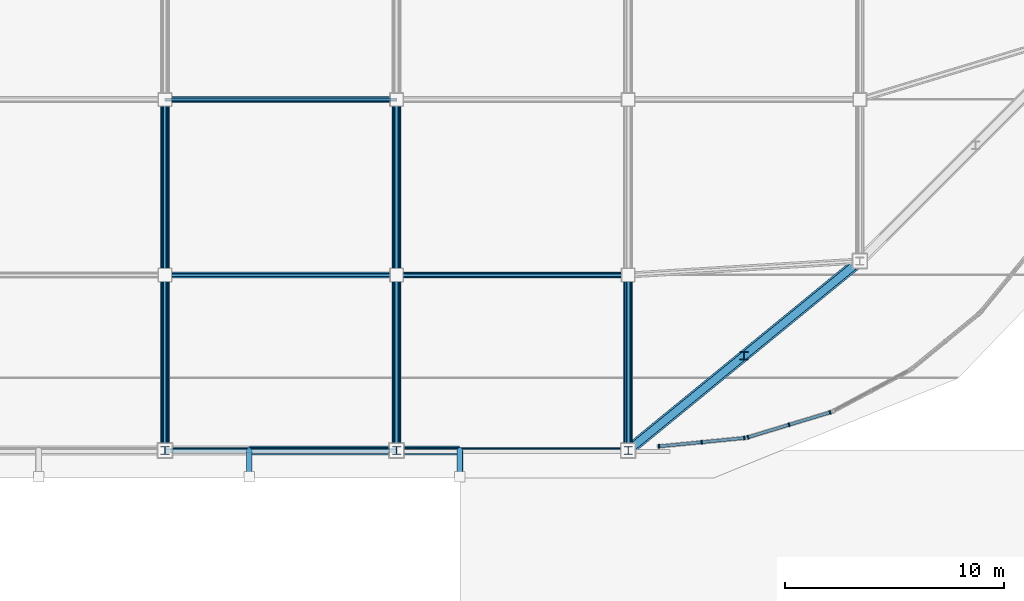
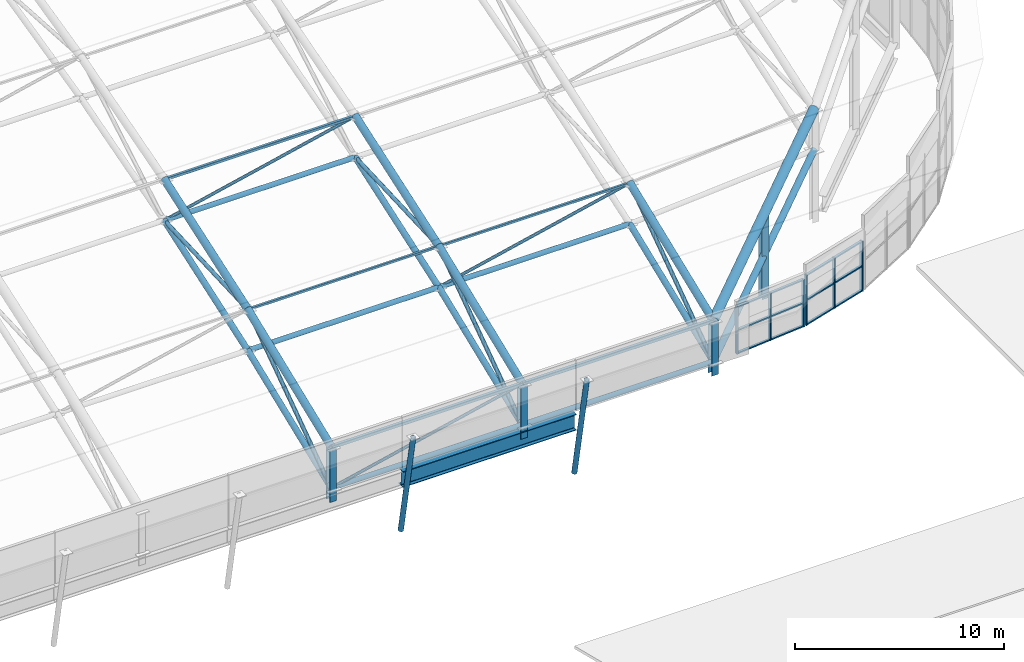
# One storey, part 9 of 42: 54 members, 1 beam, 2 elements without a shape of their own.
"""IFC4 building model written with IfcOpenShell, lengths in metres."""

import ifcopenshell
import ifcopenshell.guid

model = None  # the IFC model being written
_history = None  # IfcOwnerHistory: only IFC2X3 demands one
_inside = {}  # id of a spatial element -> (the spatial element, [elements in it])
_under = {}  # id of a project, library or spatial element -> (it, [spatial elements below it])
_declared = {}  # id of a project -> (the project, [libraries it declares])
_typed = {}  # id of a type object -> (the type object, [elements of that type])
_made_of = {}  # id of a material, layer set ... -> (it, [elements and type objects made of it])


def new_model(schema):
    """Start an empty IFC model of exactly this schema.

    Asked for "IFC4X3", IfcOpenShell would pick the latest addendum, in which some entities
    have other attributes; the version numbers below select the first issue.
    IFC2X3 requires an IfcOwnerHistory on every rooted entity: one is made here for all.
    """
    global model, _history
    if schema == "IFC4X3":
        model = ifcopenshell.file(schema_version=(4, 3, 0, 0))
    else:
        model = ifcopenshell.file(schema=schema)
    _inside.clear()
    _under.clear()
    _declared.clear()
    _typed.clear()
    _made_of.clear()
    _history = None
    if model.schema == "IFC2X3":
        org = make("IfcOrganization", Name="unknown")
        user = make(
            "IfcPersonAndOrganization",
            ThePerson=make("IfcPerson", FamilyName="unknown"),
            TheOrganization=org,
        )
        app = make(
            "IfcApplication",
            ApplicationDeveloper=org,
            Version="unknown",
            ApplicationFullName="unknown",
            ApplicationIdentifier="unknown",
        )
        _history = make(
            "IfcOwnerHistory",
            OwningUser=user,
            OwningApplication=app,
            ChangeAction="ADDED",
            CreationDate=0,
        )
    return model


def make(cls, **values):
    """One entity of the class cls with the attributes given. An attribute that is None is left unset."""
    return model.create_entity(
        cls, **{name: value for name, value in values.items() if value is not None}
    )


def rooted(cls, **values):
    """An entity with a GlobalId (a new one), such as an element, a storey or a relation."""
    return make(cls, GlobalId=ifcopenshell.guid.new(), OwnerHistory=_history, **values)


def si_unit(unit_type, name, prefix=None):
    """IfcSIUnit, for example si_unit("LENGTHUNIT", "METRE", prefix="MILLI")."""
    return make("IfcSIUnit", UnitType=unit_type, Prefix=prefix, Name=name)


def assignment(units):
    """IfcUnitAssignment: the units of a project."""
    return None if units is None else make("IfcUnitAssignment", Units=units)


def point(xyz):
    """IfcCartesianPoint."""
    return None if xyz is None else make("IfcCartesianPoint", Coordinates=xyz)


def direction(xyz):
    """IfcDirection."""
    return None if xyz is None else make("IfcDirection", DirectionRatios=xyz)


def frame(location, z_axis=None, x_axis=None):
    """IfcAxis2Placement3D, a coordinate frame: its origin and axes. An axis left out is left unset."""
    return make(
        "IfcAxis2Placement3D",
        Location=point(location),
        Axis=direction(z_axis),
        RefDirection=direction(x_axis),
    )


def frame_2d(location, x_axis=None):
    """IfcAxis2Placement2D, a coordinate frame in the plane: its origin and x axis."""
    return make(
        "IfcAxis2Placement2D", Location=point(location), RefDirection=direction(x_axis)
    )


def origin():
    """The frame at (0, 0, 0) with its axes left unset."""
    return frame((0.0, 0.0, 0.0))


def origin_2d():
    """The frame at (0, 0) in the plane with its x axis left unset."""
    return frame_2d((0.0, 0.0))


def place(relative_to, where):
    """IfcLocalPlacement: puts the frame where relative to a parent placement (None: the world)."""
    return make(
        "IfcLocalPlacement", PlacementRelTo=relative_to, RelativePlacement=where
    )


def context(
    kind, dimensions, precision=None, world=None, true_north=None, identifier=None
):
    """IfcGeometricRepresentationContext, for example the 3D "Model" context."""
    return make(
        "IfcGeometricRepresentationContext",
        ContextIdentifier=identifier,
        ContextType=kind,
        CoordinateSpaceDimension=dimensions,
        Precision=precision,
        WorldCoordinateSystem=world,
        TrueNorth=true_north,
    )


def subcontext(parent, identifier, kind, view, scale=None):
    """IfcGeometricRepresentationSubContext, for example "Body" below "Model"."""
    return make(
        "IfcGeometricRepresentationSubContext",
        ContextIdentifier=identifier,
        ContextType=kind,
        ParentContext=parent,
        TargetScale=scale,
        TargetView=view,
    )


def project(units=None, contexts=None):
    """IfcProject with its units and contexts."""
    return rooted(
        "IfcProject",
        Name="project",
        RepresentationContexts=contexts,
        UnitsInContext=assignment(units),
    )


def spatial(cls, under=None, at=None, **own):
    """A site, building, storey or space (cls), placed at a placement, below another one or the project."""
    s = rooted(cls, ObjectPlacement=at, **own)
    if under is not None:
        _under.setdefault(under.id(), (under, []))[1].append(s)
    return s


def profile(cls, at=None, kind="AREA", **sizes):
    """A parametric profile (cls). Its sizes go by their IFC names, for example OverallWidth=200.0."""
    return make(cls, ProfileType=kind, Position=at, **sizes)


def rectangle(**sizes):
    """IfcRectangleProfileDef."""
    return profile("IfcRectangleProfileDef", **sizes)


def hollow_rectangle(**sizes):
    """IfcRectangleHollowProfileDef."""
    return profile("IfcRectangleHollowProfileDef", **sizes)


def hollow_circle(**sizes):
    """IfcCircleHollowProfileDef."""
    return profile("IfcCircleHollowProfileDef", **sizes)


def i_section(**sizes):
    """IfcIShapeProfileDef."""
    return profile("IfcIShapeProfileDef", **sizes)


def extrude(swept, where, along, depth):
    """IfcExtrudedAreaSolid: the profile swept, set in the frame where, extruded along a direction by depth."""
    return make(
        "IfcExtrudedAreaSolid",
        SweptArea=swept,
        Position=where,
        ExtrudedDirection=direction(along),
        Depth=depth,
    )


def shape(context_of_items, identifier, shape_type, items):
    """IfcShapeRepresentation: the items that make up one representation, for example the "Body"."""
    return make(
        "IfcShapeRepresentation",
        ContextOfItems=context_of_items,
        RepresentationIdentifier=identifier,
        RepresentationType=shape_type,
        Items=items,
    )


def material(Name=None, Category=None):
    """IfcMaterial."""
    return make("IfcMaterial", Name=Name, Category=Category)


def layer(
    of_material, thickness, ventilated=None, Name=None, Category=None, Priority=None
):
    """IfcMaterialLayer: one layer of a wall or slab, of a material (None: an air gap)."""
    return make(
        "IfcMaterialLayer",
        Material=of_material,
        LayerThickness=thickness,
        IsVentilated=ventilated,
        Name=Name,
        Category=Category,
        Priority=Priority,
    )


def layer_set(layers, Name=None):
    """IfcMaterialLayerSet."""
    return make("IfcMaterialLayerSet", MaterialLayers=layers, LayerSetName=Name)


def material_profile(
    of_material, cross_section, Name=None, Category=None, Priority=None
):
    """IfcMaterialProfile: a cross section and its material."""
    return make(
        "IfcMaterialProfile",
        Name=Name,
        Material=of_material,
        Profile=cross_section,
        Priority=Priority,
        Category=Category,
    )


def profile_set(profiles, Name=None, composite=None):
    """IfcMaterialProfileSet."""
    return make(
        "IfcMaterialProfileSet",
        Name=Name,
        MaterialProfiles=profiles,
        CompositeProfile=composite,
    )


def made_of(thing, what):
    """Note that an element or type object is made of a material, layer set ...; save() writes the relation."""
    if what is not None:
        _made_of.setdefault(what.id(), (what, []))[1].append(thing)
    return thing


def type_object(cls, material=None, **own):
    """A type object (cls), such as IfcWallType, which elements share."""
    return made_of(rooted(cls, **own), material)


def element(
    cls,
    number,
    at=None,
    inside=None,
    cuts=None,
    type_object=None,
    material=None,
    context=None,
    identifier="Body",
    shape_type=None,
    held_by="IfcProductDefinitionShape",
    body=None,
    shapes=None,
    **own,
):
    """One element of the class cls, such as IfcWall. Its Tag is "e" and its number.

    at: its placement. inside: the storey or other place that contains it. cuts: it is an
    opening in that element (IfcRelVoidsElement). A single representation is given by context,
    identifier, shape_type and body (its items); several are given by shapes. held_by: the class
    of the entity that holds the representations. save() writes the other relations.
    """
    e = rooted(cls, Tag="e%d" % number, ObjectPlacement=at, **own)
    if body is not None:
        shapes = [shape(context, identifier, shape_type, body)]
    if shapes is not None:
        e.Representation = make(held_by, Representations=shapes)
    if inside is not None:
        _inside.setdefault(inside.id(), (inside, []))[1].append(e)
    if cuts is not None:
        rooted(
            "IfcRelVoidsElement", RelatingBuildingElement=cuts, RelatedOpeningElement=e
        )
    if type_object is not None:
        _typed.setdefault(type_object.id(), (type_object, []))[1].append(e)
    return made_of(e, material)


def aggregate(whole, parts):
    """IfcRelAggregates: a whole, such as a stair, and the parts it consists of."""
    return rooted("IfcRelAggregates", RelatingObject=whole, RelatedObjects=parts)


def save(model, path):
    """Write the relations noted so far, then the file.

    IfcRelAggregates (storeys below a building ...), IfcRelContainedInSpatialStructure (elements
    in a storey), IfcRelDefinesByType, IfcRelAssociatesMaterial and IfcRelDeclares: one each for
    every whole, place, type object, material and project.
    """
    for whole, parts in _under.values():
        aggregate(whole, parts)
    for where, things in _inside.values():
        rooted(
            "IfcRelContainedInSpatialStructure",
            RelatedElements=things,
            RelatingStructure=where,
        )
    for kind, things in _typed.values():
        rooted("IfcRelDefinesByType", RelatedObjects=things, RelatingType=kind)
    for what, things in _made_of.values():
        rooted("IfcRelAssociatesMaterial", RelatedObjects=things, RelatingMaterial=what)
    for by, libraries in _declared.values():
        rooted("IfcRelDeclares", RelatingContext=by, RelatedDefinitions=libraries)
    model.write(path)


model = new_model("IFC4")

# Units and contexts
model_context = context("Model", 3, precision=1e-05, world=origin(), true_north=direction((0.0, 1.0)))
body_context = subcontext(model_context, "Body", "Model", "MODEL_VIEW")
ifc_project = project(units=[si_unit("LENGTHUNIT", "METRE"), si_unit("AREAUNIT", "SQUARE_METRE"), si_unit("VOLUMEUNIT", "CUBIC_METRE"), si_unit("PLANEANGLEUNIT", "RADIAN"), si_unit("MASSUNIT", "GRAM", prefix="KILO")], contexts=[model_context])

# Site, building, storey
site_placement = place(None, origin())
site = spatial("IfcSite", under=ifc_project, at=site_placement, CompositionType="ELEMENT")
building_placement = place(site_placement, origin())
building = spatial("IfcBuilding", under=site, at=building_placement, Name="Caelomonte Colonnade Arena", CompositionType="ELEMENT")
storey_placement = place(building_placement, frame((0.0, 0.0, 28.199951171875)))
storey = spatial("IfcBuildingStorey", under=building, at=storey_placement, Name="RF", CompositionType="ELEMENT", Elevation=28.199951171875)

# Curtain wall, members
ifc_material_1 = material(Name="Bronze anodised aluminium and low-E glazing", Category="aluminium")
ifc_layer_1 = layer(ifc_material_1, 0.179931640625)
ifc_layer_set_1 = layer_set([ifc_layer_1], Name="Bronze anodised aluminium and low-E glazing")
curtain_wall_type_1 = type_object("IfcCurtainWallType", Name="ENV-CW-CW-TYMPC-01-28", PredefinedType="USERDEFINED", material=ifc_layer_set_1)
curtain_wall_1_placement = place(storey_placement, origin())
curtain_wall_1 = element("IfcCurtainWall", 1, at=curtain_wall_1_placement, inside=storey, type_object=curtain_wall_type_1, Name="Barrel arch rounded corner clerestory curtain wall 1", ObjectType="UNITIZED CURTAIN WALL", PredefinedType="USERDEFINED")
ifc_material_2 = material(Name="Bronze anodised aluminium AA6063-T6", Category="aluminium")
ifc_material_profile_1 = material_profile(ifc_material_2, rectangle(XDim=0.070068359375, YDim=0.179931640625, at=origin_2d()), Name="CWM-70X180")
ifc_profile_set_1 = profile_set([ifc_material_profile_1], Name="Bronze anodised aluminium AA6063-T6")
member_type_1 = type_object("IfcMemberType", Name="ENV-CW-MULL1", PredefinedType="MULLION", material=ifc_profile_set_1)
member_1_placement = place(storey_placement, frame((143.484619140625, 19.388427734375, -0.14990234375), z_axis=(0.0, 0.0, 1.0), x_axis=(0.995183320356, 0.098031417843, 0.0)))
member_1 = element("IfcMember", 2, at=member_1_placement, type_object=member_type_1, Name="CW-TYMPC-01-28 mullion 1", PredefinedType="MULLION", context=body_context, shape_type="SweptSolid", body=[
    extrude(rectangle(XDim=0.070068359375, YDim=0.179931640625, at=origin_2d()), origin(), (0.0, 0.0, 1.0), 2.7763671875),
])
member_2_placement = place(storey_placement, frame((145.430908203125, 19.580078125, -0.14990234375), z_axis=(0.0, 0.0, 1.0), x_axis=(0.995183320356, 0.098031417843, 0.0)))
member_2 = element("IfcMember", 3, at=member_2_placement, type_object=member_type_1, Name="CW-TYMPC-01-28 mullion 2", PredefinedType="MULLION", context=body_context, shape_type="SweptSolid", body=[
    extrude(rectangle(XDim=0.070068359375, YDim=0.179931640625, at=origin_2d()), origin(), (0.0, 0.0, 1.0), 2.7763671875),
])
member_3_placement = place(storey_placement, frame((147.377197265625, 19.771728515625, -0.14990234375), z_axis=(0.0, 0.0, 1.0), x_axis=(0.995183320356, 0.098031417843, 0.0)))
member_3 = element("IfcMember", 4, at=member_3_placement, type_object=member_type_1, Name="CW-TYMPC-01-28 mullion 3", PredefinedType="MULLION", context=body_context, shape_type="SweptSolid", body=[
    extrude(rectangle(XDim=0.070068359375, YDim=0.179931640625, at=origin_2d()), origin(), (0.0, 0.0, 1.0), 2.7763671875),
])

ifc_layer_2 = layer(ifc_material_1, 0.179931640625)
ifc_layer_set_2 = layer_set([ifc_layer_2], Name="Bronze anodised aluminium and low-E glazing")
curtain_wall_type_2 = type_object("IfcCurtainWallType", Name="ENV-CW-CW-TYMPC-02-29", PredefinedType="USERDEFINED", material=ifc_layer_set_2)
curtain_wall_2_placement = place(storey_placement, origin())
curtain_wall_2 = element("IfcCurtainWall", 5, at=curtain_wall_2_placement, inside=storey, type_object=curtain_wall_type_2, Name="Barrel arch rounded corner clerestory curtain wall 2", ObjectType="UNITIZED CURTAIN WALL", PredefinedType="USERDEFINED")
member_4_placement = place(storey_placement, frame((147.543212890625, 19.8046875, -0.14990234375), z_axis=(0.0, 0.0, 1.0), x_axis=(0.956945999811, 0.290266004632, 0.0)))
member_4 = element("IfcMember", 6, at=member_4_placement, type_object=member_type_1, Name="CW-TYMPC-02-29 mullion 1", PredefinedType="MULLION", context=body_context, shape_type="SweptSolid", body=[
    extrude(rectangle(XDim=0.070068359375, YDim=0.179931640625, at=origin_2d()), origin(), (0.0, 0.0, 1.0), 2.945556640625),
])
member_5_placement = place(storey_placement, frame((149.41455078125, 20.37255859375, -0.14990234375), z_axis=(0.0, 0.0, 1.0), x_axis=(0.956945999811, 0.290266004632, 0.0)))
member_5 = element("IfcMember", 7, at=member_5_placement, type_object=member_type_1, Name="CW-TYMPC-02-29 mullion 2", PredefinedType="MULLION", context=body_context, shape_type="SweptSolid", body=[
    extrude(rectangle(XDim=0.070068359375, YDim=0.179931640625, at=origin_2d()), origin(), (0.0, 0.0, 1.0), 2.945556640625),
])
member_6_placement = place(storey_placement, frame((151.2861328125, 20.940185546875, -0.14990234375), z_axis=(0.0, 0.0, 1.0), x_axis=(0.956945999811, 0.290266004632, 0.0)))
member_6 = element("IfcMember", 8, at=member_6_placement, type_object=member_type_1, Name="CW-TYMPC-02-29 mullion 3", PredefinedType="MULLION", context=body_context, shape_type="SweptSolid", body=[
    extrude(rectangle(XDim=0.070068359375, YDim=0.179931640625, at=origin_2d()), origin(), (0.0, 0.0, 1.0), 2.945556640625),
])

# Member
ifc_material_profile_2 = material_profile(ifc_material_2, rectangle(XDim=0.070068359375, YDim=0.139892578125, at=origin_2d()), Name="CWT-70X140")
ifc_profile_set_2 = profile_set([ifc_material_profile_2], Name="Bronze anodised aluminium AA6063-T6")
member_type_2 = type_object("IfcMemberType", Name="ENV-CW-TRAN1", PredefinedType="USERDEFINED", material=ifc_profile_set_2)
member_7_placement = place(storey_placement, frame((143.51953125, 19.391845703125, -0.114990234375), z_axis=(0.995184788891, 0.098016508612, 0.0), x_axis=(0.0, 0.0, 1.0)))
member_7 = element("IfcMember", 9, at=member_7_placement, type_object=member_type_2, Name="CW-TYMPC-01-28 transom 1.1", ObjectType="TRANSOM", PredefinedType="USERDEFINED", context=body_context, shape_type="SweptSolid", body=[
    extrude(rectangle(XDim=0.070068359375, YDim=0.139892578125, at=origin_2d()), origin(), (0.0, 0.0, 1.0), 1.885498046875),
])

member_8_placement = place(storey_placement, frame((143.51953125, 19.391845703125, 1.23828125), z_axis=(0.995184788891, 0.098016508612, 0.0), x_axis=(0.0, 0.0, 1.0)))
member_8 = element("IfcMember", 10, at=member_8_placement, type_object=member_type_2, Name="CW-TYMPC-01-28 transom 1.2", ObjectType="TRANSOM", PredefinedType="USERDEFINED", context=body_context, shape_type="SweptSolid", body=[
    extrude(rectangle(XDim=0.070068359375, YDim=0.139892578125, at=origin_2d()), origin(), (0.0, 0.0, 1.0), 1.885498046875),
])

member_9_placement = place(storey_placement, frame((143.51953125, 19.391845703125, 2.591552734375), z_axis=(0.995184788891, 0.098016508612, 0.0), x_axis=(0.0, 0.0, 1.0)))
member_9 = element("IfcMember", 11, at=member_9_placement, type_object=member_type_2, Name="CW-TYMPC-01-28 transom 1.3", ObjectType="TRANSOM", PredefinedType="USERDEFINED", context=body_context, shape_type="SweptSolid", body=[
    extrude(rectangle(XDim=0.070068359375, YDim=0.139892578125, at=origin_2d()), origin(), (0.0, 0.0, 1.0), 1.885498046875),
])

member_10_placement = place(storey_placement, frame((145.4658203125, 19.58349609375, -0.114990234375), z_axis=(0.995184788891, 0.098016508612, 0.0), x_axis=(0.0, 0.0, 1.0)))
member_10 = element("IfcMember", 12, at=member_10_placement, type_object=member_type_2, Name="CW-TYMPC-01-28 transom 2.1", ObjectType="TRANSOM", PredefinedType="USERDEFINED", context=body_context, shape_type="SweptSolid", body=[
    extrude(rectangle(XDim=0.070068359375, YDim=0.139892578125, at=origin_2d()), origin(), (0.0, 0.0, 1.0), 1.885498046875),
])

member_11_placement = place(storey_placement, frame((145.4658203125, 19.58349609375, 1.23828125), z_axis=(0.995184788891, 0.098016508612, 0.0), x_axis=(0.0, 0.0, 1.0)))
member_11 = element("IfcMember", 13, at=member_11_placement, type_object=member_type_2, Name="CW-TYMPC-01-28 transom 2.2", ObjectType="TRANSOM", PredefinedType="USERDEFINED", context=body_context, shape_type="SweptSolid", body=[
    extrude(rectangle(XDim=0.070068359375, YDim=0.139892578125, at=origin_2d()), origin(), (0.0, 0.0, 1.0), 1.885498046875),
])

member_12_placement = place(storey_placement, frame((145.4658203125, 19.58349609375, 2.591552734375), z_axis=(0.995184788891, 0.098016508612, 0.0), x_axis=(0.0, 0.0, 1.0)))
member_12 = element("IfcMember", 14, at=member_12_placement, type_object=member_type_2, Name="CW-TYMPC-01-28 transom 2.3", ObjectType="TRANSOM", PredefinedType="USERDEFINED", context=body_context, shape_type="SweptSolid", body=[
    extrude(rectangle(XDim=0.070068359375, YDim=0.139892578125, at=origin_2d()), origin(), (0.0, 0.0, 1.0), 1.885498046875),
])

aggregate(curtain_wall_1, [member_1, member_2, member_3, member_7, member_8, member_9, member_10, member_11, member_12])

member_13_placement = place(storey_placement, frame((147.57666015625, 19.81494140625, -0.114990234375), z_axis=(0.956941606706, 0.290280487381, 0.0), x_axis=(0.0, 0.0, 1.0)))
member_13 = element("IfcMember", 15, at=member_13_placement, type_object=member_type_2, Name="CW-TYMPC-02-29 transom 1.1", ObjectType="TRANSOM", PredefinedType="USERDEFINED", context=body_context, shape_type="SweptSolid", body=[
    extrude(rectangle(XDim=0.070068359375, YDim=0.139892578125, at=origin_2d()), origin(), (0.0, 0.0, 1.0), 1.8857421875),
])

member_14_placement = place(storey_placement, frame((147.57666015625, 19.81494140625, 1.32275390625), z_axis=(0.956941606706, 0.290280487381, 0.0), x_axis=(0.0, 0.0, 1.0)))
member_14 = element("IfcMember", 16, at=member_14_placement, type_object=member_type_2, Name="CW-TYMPC-02-29 transom 1.2", ObjectType="TRANSOM", PredefinedType="USERDEFINED", context=body_context, shape_type="SweptSolid", body=[
    extrude(rectangle(XDim=0.070068359375, YDim=0.139892578125, at=origin_2d()), origin(), (0.0, 0.0, 1.0), 1.8857421875),
])

member_15_placement = place(storey_placement, frame((147.57666015625, 19.81494140625, 2.760498046875), z_axis=(0.956941606706, 0.290280487381, 0.0), x_axis=(0.0, 0.0, 1.0)))
member_15 = element("IfcMember", 17, at=member_15_placement, type_object=member_type_2, Name="CW-TYMPC-02-29 transom 1.3", ObjectType="TRANSOM", PredefinedType="USERDEFINED", context=body_context, shape_type="SweptSolid", body=[
    extrude(rectangle(XDim=0.070068359375, YDim=0.139892578125, at=origin_2d()), origin(), (0.0, 0.0, 1.0), 1.8857421875),
])

member_16_placement = place(storey_placement, frame((149.4482421875, 20.382568359375, -0.114990234375), z_axis=(0.956941606706, 0.290280487381, 0.0), x_axis=(0.0, 0.0, 1.0)))
member_16 = element("IfcMember", 18, at=member_16_placement, type_object=member_type_2, Name="CW-TYMPC-02-29 transom 2.1", ObjectType="TRANSOM", PredefinedType="USERDEFINED", context=body_context, shape_type="SweptSolid", body=[
    extrude(rectangle(XDim=0.070068359375, YDim=0.139892578125, at=origin_2d()), origin(), (0.0, 0.0, 1.0), 1.8857421875),
])

member_17_placement = place(storey_placement, frame((149.4482421875, 20.382568359375, 1.32275390625), z_axis=(0.956941606706, 0.290280487381, 0.0), x_axis=(0.0, 0.0, 1.0)))
member_17 = element("IfcMember", 19, at=member_17_placement, type_object=member_type_2, Name="CW-TYMPC-02-29 transom 2.2", ObjectType="TRANSOM", PredefinedType="USERDEFINED", context=body_context, shape_type="SweptSolid", body=[
    extrude(rectangle(XDim=0.070068359375, YDim=0.139892578125, at=origin_2d()), origin(), (0.0, 0.0, 1.0), 1.8857421875),
])

member_18_placement = place(storey_placement, frame((149.4482421875, 20.382568359375, 2.760498046875), z_axis=(0.956941606706, 0.290280487381, 0.0), x_axis=(0.0, 0.0, 1.0)))
member_18 = element("IfcMember", 20, at=member_18_placement, type_object=member_type_2, Name="CW-TYMPC-02-29 transom 2.3", ObjectType="TRANSOM", PredefinedType="USERDEFINED", context=body_context, shape_type="SweptSolid", body=[
    extrude(rectangle(XDim=0.070068359375, YDim=0.139892578125, at=origin_2d()), origin(), (0.0, 0.0, 1.0), 1.8857421875),
])

aggregate(curtain_wall_2, [member_4, member_5, member_6, member_13, member_14, member_15, member_16, member_17, member_18])

# Beam
ifc_material_3 = material(Name="Wide-flange steel ASTM A992 Grade 50", Category="steel")
ifc_material_profile_3 = material_profile(ifc_material_3, i_section(OverallWidth=0.418212890625, OverallDepth=0.927001953125, WebThickness=0.019287109375, FlangeThickness=0.031982421875, FilletRadius=0.024169921875, at=origin_2d()), Name="W36X231")
ifc_profile_set_3 = profile_set([ifc_material_profile_3], Name="Wide-flange steel ASTM A992 Grade 50")
beam_type = type_object("IfcBeamType", Name="STR-BM-EAVES1", PredefinedType="SPANDREL", material=ifc_profile_set_3)
beam_placement = place(storey_placement, frame((124.808349609375, 19.199951171875, -0.743408203125), z_axis=(1.0, 0.0, 0.0), x_axis=(0.0, 1.0, 0.0)))
element("IfcBeam", 21, at=beam_placement, inside=storey, type_object=beam_type, Name="RF girder BMX-RF-1248-0192", PredefinedType="SPANDREL", context=body_context, shape_type="SweptSolid", body=[
    extrude(i_section(OverallWidth=0.418212890625, OverallDepth=0.927001953125, WebThickness=0.019287109375, FlangeThickness=0.031982421875, FilletRadius=0.024169921875, at=origin_2d()), origin(), (0.0, 0.0, 1.0), 9.58349609375),
])

# Members
ifc_material_profile_4 = material_profile(ifc_material_3, i_section(OverallWidth=0.368896484375, OverallDepth=0.356201171875, WebThickness=0.01123046875, FlangeThickness=0.01806640625, FilletRadius=0.01513671875, at=origin_2d()), Name="W14X90")
ifc_profile_set_4 = profile_set([ifc_material_profile_4], Name="Wide-flange steel ASTM A992 Grade 50")
member_type_3 = type_object("IfcMemberType", Name="STR-CAT-STR", PredefinedType="STRUT", material=ifc_profile_set_4)
for number, where, z_axis, x_axis, name in (
    (22, (120.9599609375, 19.199951171875, -0.699951171875), (0.0, 0.0, 1.0), (1.0, 0.0, 0.0), "Roof truss eaves bearing post 6-0"),
    (23, (131.52001953125, 19.199951171875, -0.699951171875), (0.0, 0.0, 1.0), (1.0, 0.0, 0.0), "Roof truss eaves bearing post 7-0"),
    (24, (142.080078125, 19.199951171875, -0.699951171875), (0.0, 0.0, 1.0), (1.0, 0.0, 0.0), "Roof truss eaves bearing post 8-0"),
):
    element("IfcMember", number, at=place(storey_placement, frame(where, z_axis=z_axis, x_axis=x_axis)), inside=storey, type_object=member_type_3, Name=name, PredefinedType="STRUT", context=body_context, shape_type="SweptSolid", body=[
        extrude(i_section(OverallWidth=0.368896484375, OverallDepth=0.356201171875, WebThickness=0.01123046875, FlangeThickness=0.01806640625, FilletRadius=0.01513671875, at=origin_2d()), origin(), (0.0, 0.0, 1.0), 3.10009765625),
    ])
member_19_placement = place(storey_placement, frame((147.360107421875, 23.52001953125, -0.699951171875), z_axis=(0.0, 0.0, 1.0), x_axis=(1.0, 0.0, 0.0)))
element("IfcMember", 25, at=member_19_placement, inside=storey, type_object=member_type_3, Name="Rounded corner roof Vierendeel post SE-1", PredefinedType="STRUT", context=body_context, shape_type="SweptSolid", body=[
    extrude(i_section(OverallWidth=0.368896484375, OverallDepth=0.356201171875, WebThickness=0.01123046875, FlangeThickness=0.01806640625, FilletRadius=0.01513671875, at=origin_2d()), origin(), (0.0, 0.0, 1.0), 4.810546875),
])
ifc_material_4 = material(Name="Steel ASTM A500 Grade C", Category="steel")
ifc_material_profile_5 = material_profile(ifc_material_4, hollow_circle(Radius=0.177734375, WallThickness=0.0126953125, at=origin_2d()), Name="CHS355.6X12.7")
ifc_profile_set_5 = profile_set([ifc_material_profile_5], Name="Steel ASTM A500 Grade C")
member_type_4 = type_object("IfcMemberType", Name="STR-SF-BC1", PredefinedType="CHORD", material=ifc_profile_set_5)
member_20_placement = place(storey_placement, frame((142.08154296875, 19.201171875, 0.00048828125), z_axis=(0.750709479278, 0.614234207739, 0.2432110519), x_axis=(-0.633248511568, 0.773948527098, 0.0)))
element("IfcMember", 26, at=member_20_placement, inside=storey, type_object=member_type_4, Name="Rounded corner roof bottom chord SE-1", PredefinedType="CHORD", context=body_context, shape_type="SweptSolid", body=[
    extrude(hollow_circle(Radius=0.177734375, WallThickness=0.0126953125, at=origin_2d()), origin(), (0.0, 0.0, 1.0), 14.0625),
])
ifc_material_profile_6 = material_profile(ifc_material_4, hollow_circle(Radius=0.161865234375, WallThickness=0.010009765625, at=origin_2d()), Name="CHS323.9X10.0")
ifc_profile_set_6 = profile_set([ifc_material_profile_6], Name="Steel ASTM A500 Grade C")
member_type_5 = type_object("IfcMemberType", Name="STR-SF-BC2", PredefinedType="CHORD", material=ifc_profile_set_6)
member_21_placement = place(storey_placement, frame((120.9599609375, 19.201904296875, 0.000732421875), z_axis=(0.0, 0.929070225575, 0.36990338732), x_axis=(-1.0, 0.0, 0.0)))
element("IfcMember", 27, at=member_21_placement, inside=storey, type_object=member_type_5, Name="Arched roof truss bottom chord 6-0", PredefinedType="CHORD", context=body_context, shape_type="SweptSolid", body=[
    extrude(hollow_circle(Radius=0.161865234375, WallThickness=0.010009765625, at=origin_2d()), origin(), (0.0, 0.0, 1.0), 8.6064453125),
])
member_22_placement = place(storey_placement, frame((120.9599609375, 27.201904296875, 3.185791015625), z_axis=(0.0, 0.945655527912, 0.325170143971), x_axis=(-1.0, 0.0, 0.0)))
element("IfcMember", 28, at=member_22_placement, inside=storey, type_object=member_type_5, Name="Arched roof truss bottom chord 6-1", PredefinedType="CHORD", context=body_context, shape_type="SweptSolid", body=[
    extrude(hollow_circle(Radius=0.161865234375, WallThickness=0.010009765625, at=origin_2d()), origin(), (0.0, 0.0, 1.0), 8.45556640625),
])
member_23_placement = place(storey_placement, frame((131.52001953125, 19.201904296875, 0.000732421875), z_axis=(0.0, 0.929070225575, 0.36990338732), x_axis=(-1.0, 0.0, 0.0)))
element("IfcMember", 29, at=member_23_placement, inside=storey, type_object=member_type_5, Name="Arched roof truss bottom chord 7-0", PredefinedType="CHORD", context=body_context, shape_type="SweptSolid", body=[
    extrude(hollow_circle(Radius=0.161865234375, WallThickness=0.010009765625, at=origin_2d()), origin(), (0.0, 0.0, 1.0), 8.6064453125),
])
member_24_placement = place(storey_placement, frame((131.52001953125, 27.201904296875, 3.185791015625), z_axis=(0.0, 0.945655527912, 0.325170143971), x_axis=(-1.0, 0.0, 0.0)))
element("IfcMember", 30, at=member_24_placement, inside=storey, type_object=member_type_5, Name="Arched roof truss bottom chord 7-1", PredefinedType="CHORD", context=body_context, shape_type="SweptSolid", body=[
    extrude(hollow_circle(Radius=0.161865234375, WallThickness=0.010009765625, at=origin_2d()), origin(), (0.0, 0.0, 1.0), 8.45556640625),
])
member_25_placement = place(storey_placement, frame((142.080078125, 19.201904296875, 0.000732421875), z_axis=(0.0, 0.929070225575, 0.36990338732), x_axis=(-1.0, 0.0, 0.0)))
element("IfcMember", 31, at=member_25_placement, inside=storey, type_object=member_type_5, Name="Arched roof truss bottom chord 8-0", PredefinedType="CHORD", context=body_context, shape_type="SweptSolid", body=[
    extrude(hollow_circle(Radius=0.161865234375, WallThickness=0.010009765625, at=origin_2d()), origin(), (0.0, 0.0, 1.0), 8.6064453125),
])
ifc_material_profile_7 = material_profile(ifc_material_4, hollow_rectangle(XDim=0.177734375, YDim=0.177734375, WallThickness=0.008056640625, InnerFilletRadius=0.008056640625, OuterFilletRadius=0.01611328125, at=origin_2d()), Name="HSS178X178X8.0")
ifc_profile_set_7 = profile_set([ifc_material_profile_7], Name="Steel ASTM A500 Grade C")
member_type_6 = type_object("IfcMemberType", Name="STR-SF-PUR1", PredefinedType="PURLIN", material=ifc_profile_set_7)
member_26_placement = place(storey_placement, frame((120.9619140625, 19.199951171875, 2.400146484375), z_axis=(1.0, 0.0, 0.0), x_axis=(0.0, 1.0, 0.0)))
element("IfcMember", 32, at=member_26_placement, inside=storey, type_object=member_type_6, Name="Arched roof purlin 6-0", PredefinedType="PURLIN", context=body_context, shape_type="SweptSolid", body=[
    extrude(hollow_rectangle(XDim=0.177734375, YDim=0.177734375, WallThickness=0.008056640625, InnerFilletRadius=0.008056640625, OuterFilletRadius=0.01611328125, at=origin_2d()), origin(), (0.0, 0.0, 1.0), 10.55615234375),
])
member_27_placement = place(storey_placement, frame((131.52197265625, 19.199951171875, 2.400146484375), z_axis=(1.0, 0.0, 0.0), x_axis=(0.0, 1.0, 0.0)))
element("IfcMember", 33, at=member_27_placement, inside=storey, type_object=member_type_6, Name="Arched roof purlin 7-0", PredefinedType="PURLIN", context=body_context, shape_type="SweptSolid", body=[
    extrude(hollow_rectangle(XDim=0.177734375, YDim=0.177734375, WallThickness=0.008056640625, InnerFilletRadius=0.008056640625, OuterFilletRadius=0.01611328125, at=origin_2d()), origin(), (0.0, 0.0, 1.0), 10.555908203125),
])
ifc_material_profile_8 = material_profile(ifc_material_4, hollow_rectangle(XDim=0.15234375, YDim=0.15234375, WallThickness=0.008056640625, InnerFilletRadius=0.008056640625, OuterFilletRadius=0.01611328125, at=origin_2d()), Name="HSS152X152X8.0")
ifc_profile_set_8 = profile_set([ifc_material_profile_8], Name="Steel ASTM A500 Grade C")
member_type_7 = type_object("IfcMemberType", Name="STR-SF-PUR2", PredefinedType="PURLIN", material=ifc_profile_set_8)
member_28_placement = place(storey_placement, frame((120.9619140625, 35.199951171875, 8.3359375), z_axis=(1.0, 0.0, 0.0), x_axis=(0.0, 1.0, 0.0)))
element("IfcMember", 34, at=member_28_placement, inside=storey, type_object=member_type_7, Name="Arched roof purlin 6-2", PredefinedType="PURLIN", context=body_context, shape_type="SweptSolid", body=[
    extrude(hollow_rectangle(XDim=0.15234375, YDim=0.15234375, WallThickness=0.008056640625, InnerFilletRadius=0.008056640625, OuterFilletRadius=0.01611328125, at=origin_2d()), origin(), (0.0, 0.0, 1.0), 10.55615234375),
])
ifc_material_profile_9 = material_profile(ifc_material_4, hollow_rectangle(XDim=0.126953125, YDim=0.126953125, WallThickness=0.00634765625, InnerFilletRadius=0.00634765625, OuterFilletRadius=0.0126953125, at=origin_2d()), Name="HSS127X127X6.4")
ifc_profile_set_9 = profile_set([ifc_material_profile_9], Name="Steel ASTM A500 Grade C")
member_type_8 = type_object("IfcMemberType", Name="STR-SF-PUR3", PredefinedType="PURLIN", material=ifc_profile_set_9)
member_29_placement = place(storey_placement, frame((120.9619140625, 27.199951171875, 5.5849609375), z_axis=(1.0, 0.0, 0.0), x_axis=(0.0, 1.0, 0.0)))
element("IfcMember", 35, at=member_29_placement, inside=storey, type_object=member_type_8, Name="Arched roof purlin 6-1", PredefinedType="PURLIN", context=body_context, shape_type="SweptSolid", body=[
    extrude(hollow_rectangle(XDim=0.126953125, YDim=0.126953125, WallThickness=0.00634765625, InnerFilletRadius=0.00634765625, OuterFilletRadius=0.0126953125, at=origin_2d()), origin(), (0.0, 0.0, 1.0), 10.55615234375),
])
member_30_placement = place(storey_placement, frame((131.52197265625, 27.199951171875, 5.5849609375), z_axis=(1.0, 0.0, 0.0), x_axis=(0.0, 1.0, 0.0)))
element("IfcMember", 36, at=member_30_placement, inside=storey, type_object=member_type_8, Name="Arched roof purlin 7-1", PredefinedType="PURLIN", context=body_context, shape_type="SweptSolid", body=[
    extrude(hollow_rectangle(XDim=0.126953125, YDim=0.126953125, WallThickness=0.00634765625, InnerFilletRadius=0.00634765625, OuterFilletRadius=0.0126953125, at=origin_2d()), origin(), (0.0, 0.0, 1.0), 10.555908203125),
])
ifc_material_profile_10 = material_profile(ifc_material_4, hollow_circle(Radius=0.25390625, WallThickness=0.015869140625, at=origin_2d()), Name="CHS508X15.9")
ifc_profile_set_10 = profile_set([ifc_material_profile_10], Name="Steel ASTM A500 Grade C")
member_type_9 = type_object("IfcMemberType", Name="STR-SF-TC1", PredefinedType="CHORD", material=ifc_profile_set_10)
member_31_placement = place(storey_placement, frame((142.08154296875, 19.201171875, 2.400634765625), z_axis=(0.750712648981, 0.614236801206, 0.243194717674), x_axis=(-0.633248511568, 0.773948527098, 0.0)))
element("IfcMember", 37, at=member_31_placement, inside=storey, type_object=member_type_9, Name="Rounded corner roof top chord SE-1", PredefinedType="CHORD", context=body_context, shape_type="SweptSolid", body=[
    extrude(hollow_circle(Radius=0.25390625, WallThickness=0.015869140625, at=origin_2d()), origin(), (0.0, 0.0, 1.0), 14.0625),
])
ifc_material_profile_11 = material_profile(ifc_material_4, hollow_circle(Radius=0.203125, WallThickness=0.0126953125, at=origin_2d()), Name="CHS406.4X12.7")
ifc_profile_set_11 = profile_set([ifc_material_profile_11], Name="Steel ASTM A500 Grade C")
member_type_10 = type_object("IfcMemberType", Name="STR-SF-TC2", PredefinedType="CHORD", material=ifc_profile_set_11)
member_32_placement = place(storey_placement, frame((120.9599609375, 19.201904296875, 2.400634765625), z_axis=(0.0, 0.929070225575, 0.36990338732), x_axis=(-1.0, 0.0, 0.0)))
element("IfcMember", 38, at=member_32_placement, inside=storey, type_object=member_type_10, Name="Arched roof truss top chord 6-0", PredefinedType="CHORD", context=body_context, shape_type="SweptSolid", body=[
    extrude(hollow_circle(Radius=0.203125, WallThickness=0.0126953125, at=origin_2d()), origin(), (0.0, 0.0, 1.0), 8.6064453125),
])
member_33_placement = place(storey_placement, frame((120.9599609375, 27.201904296875, 5.585693359375), z_axis=(0.0, 0.945646649159, 0.325195963895), x_axis=(-1.0, 0.0, 0.0)))
element("IfcMember", 39, at=member_33_placement, inside=storey, type_object=member_type_10, Name="Arched roof truss top chord 6-1", PredefinedType="CHORD", context=body_context, shape_type="SweptSolid", body=[
    extrude(hollow_circle(Radius=0.203125, WallThickness=0.0126953125, at=origin_2d()), origin(), (0.0, 0.0, 1.0), 8.455810546875),
])
member_34_placement = place(storey_placement, frame((131.52001953125, 19.201904296875, 2.400634765625), z_axis=(0.0, 0.929070225575, 0.36990338732), x_axis=(-1.0, 0.0, 0.0)))
element("IfcMember", 40, at=member_34_placement, inside=storey, type_object=member_type_10, Name="Arched roof truss top chord 7-0", PredefinedType="CHORD", context=body_context, shape_type="SweptSolid", body=[
    extrude(hollow_circle(Radius=0.203125, WallThickness=0.0126953125, at=origin_2d()), origin(), (0.0, 0.0, 1.0), 8.6064453125),
])
member_35_placement = place(storey_placement, frame((131.52001953125, 27.201904296875, 5.585693359375), z_axis=(0.0, 0.945646649159, 0.325195963895), x_axis=(-1.0, 0.0, 0.0)))
element("IfcMember", 41, at=member_35_placement, inside=storey, type_object=member_type_10, Name="Arched roof truss top chord 7-1", PredefinedType="CHORD", context=body_context, shape_type="SweptSolid", body=[
    extrude(hollow_circle(Radius=0.203125, WallThickness=0.0126953125, at=origin_2d()), origin(), (0.0, 0.0, 1.0), 8.455810546875),
])
member_36_placement = place(storey_placement, frame((142.080078125, 19.201904296875, 2.400634765625), z_axis=(0.0, 0.929070225575, 0.36990338732), x_axis=(-1.0, 0.0, 0.0)))
element("IfcMember", 42, at=member_36_placement, inside=storey, type_object=member_type_10, Name="Arched roof truss top chord 8-0", PredefinedType="CHORD", context=body_context, shape_type="SweptSolid", body=[
    extrude(hollow_circle(Radius=0.203125, WallThickness=0.0126953125, at=origin_2d()), origin(), (0.0, 0.0, 1.0), 8.6064453125),
])
ifc_material_profile_12 = material_profile(ifc_material_4, hollow_circle(Radius=0.136474609375, WallThickness=0.00927734375, at=origin_2d()), Name="CHS273.0X9.3")
ifc_profile_set_12 = profile_set([ifc_material_profile_12], Name="Steel ASTM A500 Grade C")
member_type_11 = type_object("IfcMemberType", Name="STR-SF-TIE", PredefinedType="STRUT", material=ifc_profile_set_12)
for number, where, z_axis, x_axis, name in (
    (43, (120.9619140625, 19.199951171875, 0.0), (1.0, 0.0, 0.0), (0.0, 1.0, 0.0), "Space frame roof tie strut 6-0"),
    (44, (120.9619140625, 27.199951171875, 3.18505859375), (1.0, 0.0, 0.0), (0.0, 1.0, 0.0), "Space frame roof tie strut 6-1"),
    (45, (120.9619140625, 35.199951171875, 5.93603515625), (1.0, 0.0, 0.0), (0.0, 1.0, 0.0), "Space frame roof tie strut 6-2"),
):
    element("IfcMember", number, at=place(storey_placement, frame(where, z_axis=z_axis, x_axis=x_axis)), inside=storey, type_object=member_type_11, Name=name, PredefinedType="STRUT", context=body_context, shape_type="SweptSolid", body=[
        extrude(hollow_circle(Radius=0.136474609375, WallThickness=0.00927734375, at=origin_2d()), origin(), (0.0, 0.0, 1.0), 10.55615234375),
    ])
for number, where, z_axis, x_axis, name in (
    (46, (131.52197265625, 19.199951171875, 0.0), (1.0, 0.0, 0.0), (0.0, 1.0, 0.0), "Space frame roof tie strut 7-0"),
    (47, (131.52197265625, 27.199951171875, 3.18505859375), (1.0, 0.0, 0.0), (0.0, 1.0, 0.0), "Space frame roof tie strut 7-1"),
):
    element("IfcMember", number, at=place(storey_placement, frame(where, z_axis=z_axis, x_axis=x_axis)), inside=storey, type_object=member_type_11, Name=name, PredefinedType="STRUT", context=body_context, shape_type="SweptSolid", body=[
        extrude(hollow_circle(Radius=0.136474609375, WallThickness=0.00927734375, at=origin_2d()), origin(), (0.0, 0.0, 1.0), 10.555908203125),
    ])
for number, where, z_axis, x_axis, name in (
    (48, (124.800048828125, 19.19970703125, -3.7978515625), (0.0, -0.19151035942, 0.981490592026), (1.0, 0.0, 0.0), "Roof eaves overhang inclined strut 19"),
    (49, (134.39990234375, 19.19970703125, -3.7978515625), (0.0, -0.19151035942, 0.981490592026), (1.0, 0.0, 0.0), "Roof eaves overhang inclined strut 21"),
):
    element("IfcMember", number, at=place(storey_placement, frame(where, z_axis=z_axis, x_axis=x_axis)), inside=storey, type_object=member_type_11, Name=name, PredefinedType="STRUT", context=body_context, shape_type="SweptSolid", body=[
        extrude(hollow_circle(Radius=0.136474609375, WallThickness=0.00927734375, at=origin_2d()), origin(), (0.0, 0.0, 1.0), 6.261962890625),
    ])
ifc_material_profile_13 = material_profile(ifc_material_4, hollow_circle(Radius=0.109619140625, WallThickness=0.00830078125, at=origin_2d()), Name="CHS219.1X8.2")
ifc_profile_set_13 = profile_set([ifc_material_profile_13], Name="Steel ASTM A500 Grade C")
member_type_12 = type_object("IfcMemberType", Name="STR-SF-WEB1", PredefinedType="BRACE", material=ifc_profile_set_13)
member_37_placement = place(storey_placement, frame((120.9599609375, 19.20166015625, 0.001220703125), z_axis=(0.0, 0.819954536619, 0.572428648722), x_axis=(-1.0, 0.0, 0.0)))
element("IfcMember", 50, at=member_37_placement, inside=storey, type_object=member_type_12, Name="Space frame roof truss web diagonal 6-0", PredefinedType="BRACE", context=body_context, shape_type="SweptSolid", body=[
    extrude(hollow_circle(Radius=0.109619140625, WallThickness=0.00830078125, at=origin_2d()), origin(), (0.0, 0.0, 1.0), 9.752685546875),
])
member_38_placement = place(storey_placement, frame((120.9599609375, 27.201904296875, 5.585205078125), z_axis=(0.0, 0.999038871579, 0.043833013509), x_axis=(-1.0, 0.0, 0.0)))
element("IfcMember", 51, at=member_38_placement, inside=storey, type_object=member_type_12, Name="Space frame roof truss web diagonal 6-1", PredefinedType="BRACE", context=body_context, shape_type="SweptSolid", body=[
    extrude(hollow_circle(Radius=0.109619140625, WallThickness=0.00830078125, at=origin_2d()), origin(), (0.0, 0.0, 1.0), 8.00390625),
])
member_39_placement = place(storey_placement, frame((131.52001953125, 19.20166015625, 0.001220703125), z_axis=(0.0, 0.819954536619, 0.572428648722), x_axis=(-1.0, 0.0, 0.0)))
element("IfcMember", 52, at=member_39_placement, inside=storey, type_object=member_type_12, Name="Space frame roof truss web diagonal 7-0", PredefinedType="BRACE", context=body_context, shape_type="SweptSolid", body=[
    extrude(hollow_circle(Radius=0.109619140625, WallThickness=0.00830078125, at=origin_2d()), origin(), (0.0, 0.0, 1.0), 9.752685546875),
])
member_40_placement = place(storey_placement, frame((131.52001953125, 27.201904296875, 5.585205078125), z_axis=(0.0, 0.999038871579, 0.043833013509), x_axis=(-1.0, 0.0, 0.0)))
element("IfcMember", 53, at=member_40_placement, inside=storey, type_object=member_type_12, Name="Space frame roof truss web diagonal 7-1", PredefinedType="BRACE", context=body_context, shape_type="SweptSolid", body=[
    extrude(hollow_circle(Radius=0.109619140625, WallThickness=0.00830078125, at=origin_2d()), origin(), (0.0, 0.0, 1.0), 8.00390625),
])
member_41_placement = place(storey_placement, frame((142.080078125, 19.20166015625, 0.001220703125), z_axis=(0.0, 0.819954536619, 0.572428648722), x_axis=(-1.0, 0.0, 0.0)))
element("IfcMember", 54, at=member_41_placement, inside=storey, type_object=member_type_12, Name="Space frame roof truss web diagonal 8-0", PredefinedType="BRACE", context=body_context, shape_type="SweptSolid", body=[
    extrude(hollow_circle(Radius=0.109619140625, WallThickness=0.00830078125, at=origin_2d()), origin(), (0.0, 0.0, 1.0), 9.752685546875),
])
ifc_material_profile_14 = material_profile(ifc_material_4, hollow_circle(Radius=0.084228515625, WallThickness=0.007080078125, at=origin_2d()), Name="CHS168.3X7.1")
ifc_profile_set_14 = profile_set([ifc_material_profile_14], Name="Steel ASTM A500 Grade C")
member_type_13 = type_object("IfcMemberType", Name="STR-SF-WEB2", PredefinedType="BRACE", material=ifc_profile_set_14)
for number, where, z_axis, x_axis, name in (
    (55, (120.9619140625, 19.199951171875, 0.00048828125), (0.975131969628, 0.0, 0.221625002672), (0.0, 1.0, 0.0), "Space frame transverse diagonal 6-0"),
    (56, (120.9619140625, 35.199951171875, 5.9365234375), (0.975131969628, 0.0, 0.221625002672), (0.0, 1.0, 0.0), "Space frame transverse diagonal 6-2"),
):
    element("IfcMember", number, at=place(storey_placement, frame(where, z_axis=z_axis, x_axis=x_axis)), inside=storey, type_object=member_type_13, Name=name, PredefinedType="BRACE", context=body_context, shape_type="SweptSolid", body=[
        extrude(hollow_circle(Radius=0.084228515625, WallThickness=0.007080078125, at=origin_2d()), origin(), (0.0, 0.0, 1.0), 10.825439453125),
    ])
member_42_placement = place(storey_placement, frame((131.52197265625, 27.199951171875, 3.185546875), z_axis=(0.975130861858, 0.0, 0.221629876714), x_axis=(0.0, 1.0, 0.0)))
element("IfcMember", 57, at=member_42_placement, inside=storey, type_object=member_type_13, Name="Space frame transverse diagonal 7-1", PredefinedType="BRACE", context=body_context, shape_type="SweptSolid", body=[
    extrude(hollow_circle(Radius=0.084228515625, WallThickness=0.007080078125, at=origin_2d()), origin(), (0.0, 0.0, 1.0), 10.8251953125),
])

save(model, "model.ifc")
